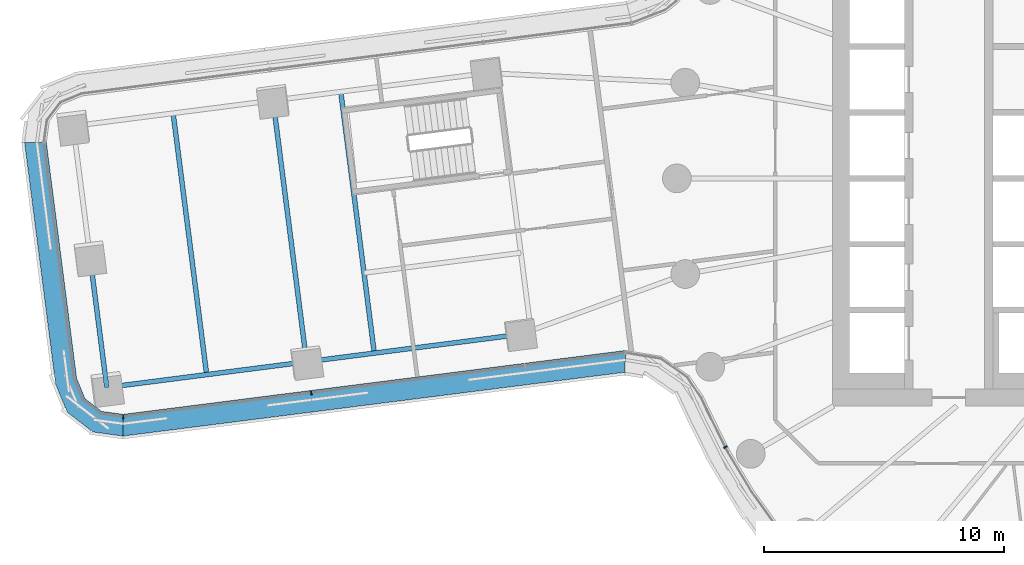
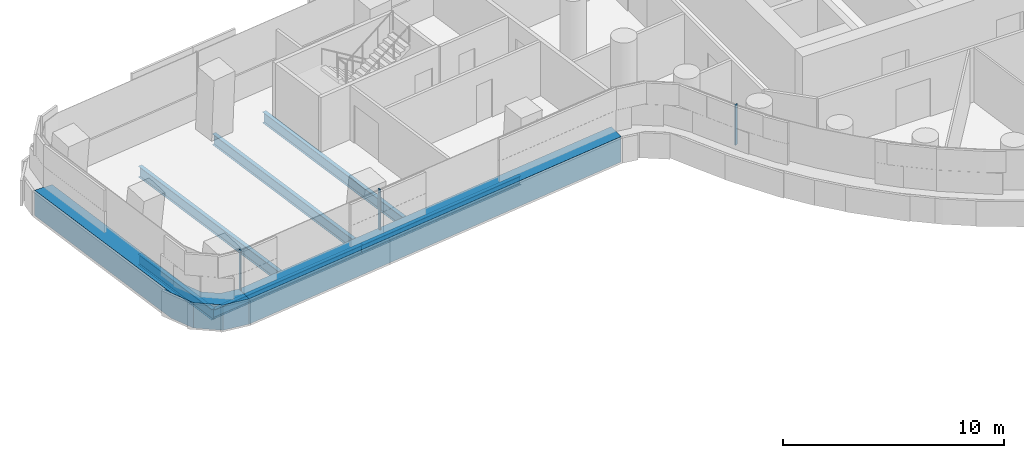
# One storey, part 4 of 31: 6 beams, 5 members, 3 elements without a shape of their own.
"""IFC4 building model written with IfcOpenShell, lengths in metres."""

from ifc_helpers import new_model, si_unit, direction, frame, origin, origin_2d, place, context, subcontext, project, spatial, polyline, rectangle, i_section, outline, extrude, material, layer, layer_set, material_profile, profile_set, type_object, element, aggregate, save


model = new_model("IFC4")

# Units and contexts
model_context = context("Model", 3, precision=1e-05, world=origin(), true_north=direction((0.0, 1.0)))
body_context = subcontext(model_context, "Body", "Model", "MODEL_VIEW")
ifc_project = project(units=[si_unit("LENGTHUNIT", "METRE"), si_unit("AREAUNIT", "SQUARE_METRE"), si_unit("VOLUMEUNIT", "CUBIC_METRE"), si_unit("PLANEANGLEUNIT", "RADIAN"), si_unit("MASSUNIT", "GRAM", prefix="KILO")], contexts=[model_context])

# Site, building, storey
site_placement = place(None, origin())
site = spatial("IfcSite", under=ifc_project, at=site_placement, CompositionType="ELEMENT")
building_placement = place(site_placement, origin())
building = spatial("IfcBuilding", under=site, at=building_placement, Name="Tamarind Cross Interchange Tower", CompositionType="ELEMENT")
storey_placement = place(building_placement, frame((0.0, 0.0, 60.25)))
storey = spatial("IfcBuildingStorey", under=building, at=storey_placement, Name="L13", CompositionType="ELEMENT", Elevation=60.25)

# Beams
ifc_material_1 = material(Name="Steel Q355B", Category="steel")
ifc_material_profile_1 = material_profile(ifc_material_1, i_section(OverallWidth=0.198974609375, OverallDepth=0.49609375, WebThickness=0.009033203125, FlangeThickness=0.013916015625, FilletRadius=0.012939453125, at=origin_2d()), Name="HN 496x199x9x14")
ifc_profile_set_1 = profile_set([ifc_material_profile_1], Name="Steel Q355B")
beam_type_1 = type_object("IfcBeamType", Name="Composite beam HN 496x199x9x14 Q355B", PredefinedType="BEAM", material=ifc_profile_set_1)
beam_1_placement = place(storey_placement, frame((-46.7998046875, -8.72802734375, -0.387939453125), z_axis=(0.99186334483, 0.127307129349, 0.0), x_axis=(-0.127307129349, 0.99186334483, 0.0)))
element("IfcBeam", 1, at=beam_1_placement, inside=storey, type_object=beam_type_1, Name="Beam W-edgeep2", PredefinedType="BEAM", context=body_context, shape_type="SweptSolid", body=[
    extrude(i_section(OverallWidth=0.198974609375, OverallDepth=0.49609375, WebThickness=0.009033203125, FlangeThickness=0.013916015625, FilletRadius=0.012939453125, at=origin_2d()), origin(), (0.0, 0.0, 1.0), 8.4091796875),
])
beam_2_placement = place(storey_placement, frame((-38.458984375, -7.657470703125, -0.387939453125), z_axis=(0.991866918973, 0.127279279724, 0.0), x_axis=(-0.127279279724, 0.991866918973, 0.0)))
element("IfcBeam", 2, at=beam_2_placement, inside=storey, type_object=beam_type_1, Name="Beam W-edgeep3", PredefinedType="BEAM", context=body_context, shape_type="SweptSolid", body=[
    extrude(i_section(OverallWidth=0.198974609375, OverallDepth=0.49609375, WebThickness=0.009033203125, FlangeThickness=0.013916015625, FilletRadius=0.012939453125, at=origin_2d()), origin(), (0.0, 0.0, 1.0), 9.0),
])
ifc_material_profile_2 = material_profile(ifc_material_1, i_section(OverallWidth=0.199951171875, OverallDepth=0.60009765625, WebThickness=0.010986328125, FlangeThickness=0.01708984375, FilletRadius=0.012939453125, at=origin_2d()), Name="HN 600x200x11x17")
ifc_profile_set_2 = profile_set([ifc_material_profile_2], Name="Steel Q355B")
beam_type_2 = type_object("IfcBeamType", Name="Composite beam HN 600x200x11x17 Q355B", PredefinedType="BEAM", material=ifc_profile_set_2)
beam_3_placement = place(storey_placement, frame((-47.5, -3.272705078125, -0.43994140625), z_axis=(0.12730652475, -0.991863422431, 0.0), x_axis=(0.991863422431, 0.12730652475, 0.0)))
element("IfcBeam", 3, at=beam_3_placement, inside=storey, type_object=beam_type_2, Name="Beam W-tip1", PredefinedType="BEAM", context=body_context, shape_type="SweptSolid", body=[
    extrude(i_section(OverallWidth=0.199951171875, OverallDepth=0.60009765625, WebThickness=0.010986328125, FlangeThickness=0.01708984375, FilletRadius=0.012939453125, at=origin_2d()), origin(), (0.0, 0.0, 1.0), 5.5),
])
beam_4_placement = place(storey_placement, frame((-37.032470703125, 3.61572265625, -0.43994140625), z_axis=(0.127287492142, -0.991865865097, 0.0), x_axis=(0.991865865097, 0.127287492142, 0.0)))
element("IfcBeam", 4, at=beam_4_placement, inside=storey, type_object=beam_type_2, Name="Beam W-x364", PredefinedType="BEAM", context=body_context, shape_type="SweptSolid", body=[
    extrude(i_section(OverallWidth=0.199951171875, OverallDepth=0.60009765625, WebThickness=0.010986328125, FlangeThickness=0.01708984375, FilletRadius=0.012939453125, at=origin_2d()), origin(), (0.0, 0.0, 1.0), 10.999755859375),
])
beam_5_placement = place(storey_placement, frame((-39.859375, 3.2529296875, -0.43994140625), z_axis=(0.127309327301, -0.991863062717, 0.0), x_axis=(0.991863062717, 0.127309327301, 0.0)))
element("IfcBeam", 5, at=beam_5_placement, inside=storey, type_object=beam_type_2, Name="Beam W-x393", PredefinedType="BEAM", context=body_context, shape_type="SweptSolid", body=[
    extrude(i_section(OverallWidth=0.199951171875, OverallDepth=0.60009765625, WebThickness=0.010986328125, FlangeThickness=0.01708984375, FilletRadius=0.012939453125, at=origin_2d()), origin(), (0.0, 0.0, 1.0), 11.0),
])
beam_6_placement = place(storey_placement, frame((-44.02978515625, 2.7177734375, -0.43994140625), z_axis=(0.12730652475, -0.991863422431, 0.0), x_axis=(0.991863422431, 0.12730652475, 0.0)))
element("IfcBeam", 6, at=beam_6_placement, inside=storey, type_object=beam_type_2, Name="Beam W-x435", PredefinedType="BEAM", context=body_context, shape_type="SweptSolid", body=[
    extrude(i_section(OverallWidth=0.199951171875, OverallDepth=0.60009765625, WebThickness=0.010986328125, FlangeThickness=0.01708984375, FilletRadius=0.012939453125, at=origin_2d()), origin(), (0.0, 0.0, 1.0), 11.000244140625),
])

# Curtain wall, member
ifc_material_2 = material(Name="Aluminium 6063-T6", Category="aluminium")
ifc_layer = layer(ifc_material_2, 0.159912109375)
ifc_layer_set = layer_set([ifc_layer], Name="Aluminium 6063-T6")
curtain_wall_type = type_object("IfcCurtainWallType", Name="Office curtain wall, 9.0 m bays", PredefinedType="NOTDEFINED", material=ifc_layer_set)
curtain_wall_1_placement = place(storey_placement, origin())
curtain_wall_1 = element("IfcCurtainWall", 7, at=curtain_wall_1_placement, inside=storey, type_object=curtain_wall_type, Name="CWS-L13-00", PredefinedType="NOTDEFINED")
ifc_material_3 = material(Name="Aluminium and insulated spandrel panel", Category="aluminium")
member_type_1 = type_object("IfcMemberType", Name="Floor-edge blade transom", PredefinedType="USERDEFINED", material=ifc_material_3)
member_1_placement = place(storey_placement, origin())
member_1 = element("IfcMember", 8, at=member_1_placement, type_object=member_type_1, Name="CWT-L13-00", ObjectType="TRANSOM", PredefinedType="USERDEFINED", context=body_context, shape_type="SweptSolid", body=[
    extrude(outline(polyline([(-49.321533203125, 1.49462890625), (-48.05859375, -8.345703125), (-47.711181640625, -9.192626953125), (-47.01904296875, -9.72705078125), (-46.11181640625, -9.849609375), (-46.115234375, -10.75732421875), (-47.37841796875, -10.5869140625), (-48.4521484375, -9.75732421875), (-48.936279296875, -8.577880859375), (-50.229248046875, 1.49755859375), (-49.321533203125, 1.49462890625)])), origin(), (0.0, 0.0, 1.0), 1.39990234375),
])
aggregate(curtain_wall_1, [member_1])

# Curtain wall, members
curtain_wall_2_placement = place(storey_placement, origin())
curtain_wall_2 = element("IfcCurtainWall", 9, at=curtain_wall_2_placement, inside=storey, type_object=curtain_wall_type, Name="CWS-L13-01", PredefinedType="NOTDEFINED")
member_2_placement = place(storey_placement, origin())
member_2 = element("IfcMember", 10, at=member_2_placement, type_object=member_type_1, Name="CWT-L13-01", ObjectType="TRANSOM", PredefinedType="USERDEFINED", context=body_context, shape_type="SweptSolid", body=[
    extrude(outline(polyline([(-46.11181640625, -9.849609375), (-25.14892578125, -7.18359375), (-25.16455078125, -8.0927734375), (-46.115234375, -10.75732421875), (-46.11181640625, -9.849609375)])), origin(), (0.0, 0.0, 1.0), 1.39990234375),
])
ifc_material_profile_3 = material_profile(ifc_material_2, rectangle(XDim=0.06005859375, YDim=0.159912109375, at=origin_2d()), Name="Mullion CW1")
ifc_profile_set_3 = profile_set([ifc_material_profile_3], Name="Aluminium 6063-T6")
member_type_2 = type_object("IfcMemberType", Name="Mullion CW1", PredefinedType="MULLION", material=ifc_profile_set_3)
member_3_placement = place(storey_placement, frame((-46.112060546875, -9.950439453125, 1.39990234375), z_axis=(0.0, 0.0, 1.0), x_axis=(0.999992675258, -0.003827457335, 0.0)))
member_3 = element("IfcMember", 11, at=member_3_placement, type_object=member_type_2, Name="CWM-L13-01-00", PredefinedType="MULLION", context=body_context, shape_type="SweptSolid", body=[
    extrude(rectangle(XDim=0.06005859375, YDim=0.159912109375, at=origin_2d()), origin(), (0.0, 0.0, 1.0), 2.210205078125),
])
member_4_placement = place(storey_placement, frame((-38.265380859375, -8.95263671875, 1.39990234375), z_axis=(0.0, 0.0, 1.0), x_axis=(0.992009784455, 0.126160958881, 0.0)))
member_4 = element("IfcMember", 12, at=member_4_placement, type_object=member_type_2, Name="CWM-L13-01-01", PredefinedType="MULLION", context=body_context, shape_type="SweptSolid", body=[
    extrude(rectangle(XDim=0.06005859375, YDim=0.159912109375, at=origin_2d()), origin(), (0.0, 0.0, 1.0), 2.210205078125),
])
aggregate(curtain_wall_2, [member_3, member_4, member_2])

# Curtain wall, member
curtain_wall_3_placement = place(storey_placement, origin())
curtain_wall_3 = element("IfcCurtainWall", 13, at=curtain_wall_3_placement, inside=storey, type_object=curtain_wall_type, Name="CWS-L13-02", PredefinedType="NOTDEFINED")
member_5_placement = place(storey_placement, frame((-20.974365234375, -11.22216796875, 1.39990234375), z_axis=(0.0, 0.0, 1.0), x_axis=(0.443058811505, -0.896492548518, 0.0)))
member_5 = element("IfcMember", 14, at=member_5_placement, type_object=member_type_2, Name="CWM-L13-02-01", PredefinedType="MULLION", context=body_context, shape_type="SweptSolid", body=[
    extrude(rectangle(XDim=0.06005859375, YDim=0.159912109375, at=origin_2d()), origin(), (0.0, 0.0, 1.0), 2.210205078125),
])
aggregate(curtain_wall_3, [member_5])

save(model, "model.ifc")
